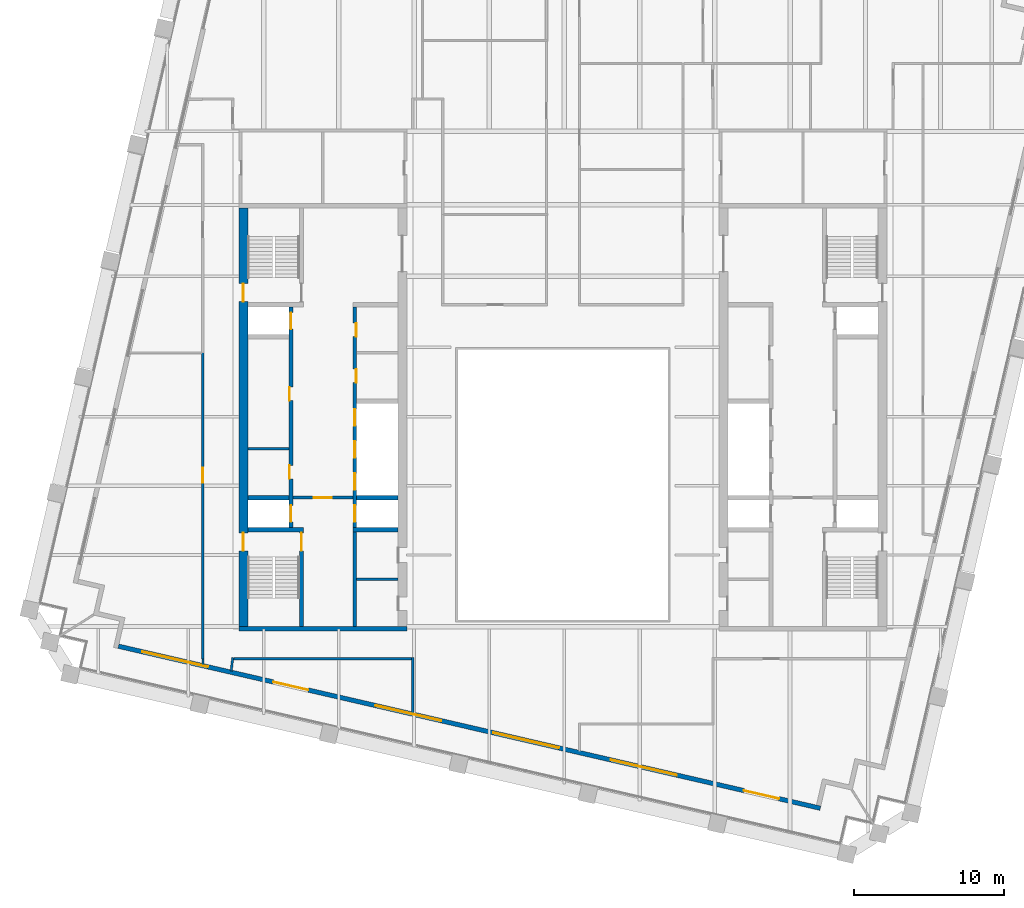
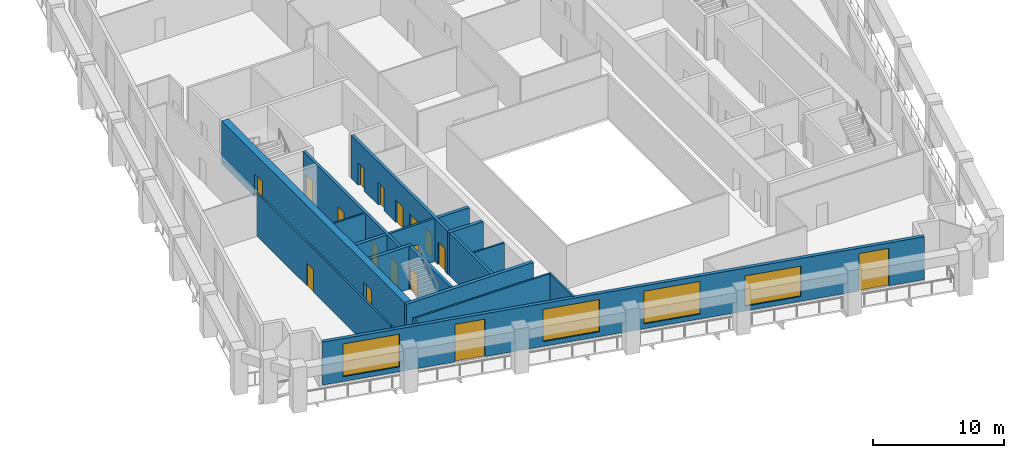
# One storey, part 4 of 11: 18 walls, 17 doors, 4 windows, 21 openings.
"""IFC4 building model written with IfcOpenShell, lengths in metres."""

from ifc_helpers import new_model, si_unit, direction, frame, frame_2d, origin, place, context, subcontext, project, spatial, rectangle, extrude, material, layer, layer_set, type_object, element, fill, save


model = new_model("IFC4")

# Units and contexts
model_context = context("Model", 3, precision=1e-05, world=origin(), true_north=direction((0.0, 1.0)))
body_context = subcontext(model_context, "Body", "Model", "MODEL_VIEW")
ifc_project = project(units=[si_unit("LENGTHUNIT", "METRE"), si_unit("AREAUNIT", "SQUARE_METRE"), si_unit("VOLUMEUNIT", "CUBIC_METRE"), si_unit("PLANEANGLEUNIT", "RADIAN"), si_unit("MASSUNIT", "GRAM", prefix="KILO")], contexts=[model_context])

# Site, building, storey
site_placement = place(None, origin())
site = spatial("IfcSite", under=ifc_project, at=site_placement, CompositionType="ELEMENT")
building_placement = place(site_placement, origin())
building = spatial("IfcBuilding", under=site, at=building_placement, Name="Ogive Exchange Tower", CompositionType="ELEMENT")
storey_placement = place(building_placement, frame((0.0, 0.0, 247.199951171875)))
storey = spatial("IfcBuildingStorey", under=building, at=storey_placement, Name="L53", CompositionType="ELEMENT", Elevation=247.199951171875)

# Walls
ifc_material_1 = material(Name="Gypsum board partition")
ifc_layer_1 = layer(ifc_material_1, 0.14990234375)
ifc_layer_set_1 = layer_set([ifc_layer_1], Name="Core room partition 150 gypsum")
wall_type_1 = type_object("IfcWallType", Name="Core room partition 150 gypsum", PredefinedType="PARTITIONING", material=ifc_layer_set_1)
for number, where, z_axis, x_axis, name in (
    (1, (-21.0, 9.39990234375, 0.0), (0.0, 0.0, 1.0), (1.0, 0.0, 0.0), "W row A bay partition 1-1"),
    (2, (-13.75, 0.699951171875, 0.0), (0.0, 0.0, 1.0), (1.0, 0.0, 0.0), "W south room partition"),
):
    element("IfcWall", number, at=place(storey_placement, frame(where, z_axis=z_axis, x_axis=x_axis)), inside=storey, type_object=wall_type_1, Name=name, PredefinedType="PARTITIONING", context=body_context, shape_type="SweptSolid", body=[
        extrude(rectangle(XDim=2.75, YDim=0.14990234375, at=frame_2d((1.375, 0.0))), origin(), (0.0, 0.0, 1.0), 4.0),
    ])

# Wall, opening, door
ifc_material_2 = material(Name="Fire partition EI 60 150")
ifc_layer_2 = layer(ifc_material_2, 0.14990234375)
ifc_layer_set_2 = layer_set([ifc_layer_2], Name="Fire partition EI 60 150")
wall_type_2 = type_object("IfcWallType", Name="Fire partition EI 60 150", PredefinedType="PARTITIONING", material=ifc_layer_set_2)
wall_1_placement = place(storey_placement, frame((-24.0, -4.60009765625, 0.0), z_axis=(0.0, 0.0, 1.0), x_axis=(0.0, 1.0, 0.0)))
wall_1 = element("IfcWall", 3, at=wall_1_placement, inside=storey, type_object=wall_type_2, Name="L53-PWL-002", PredefinedType="PARTITIONING", context=body_context, shape_type="SweptSolid", body=[
    extrude(rectangle(XDim=20.440185546875, YDim=0.14990234375, at=frame_2d((10.22021484375, 0.0))), origin(), (0.0, 0.0, 1.0), 4.0),
])
opening_1_placement = place(wall_1_placement, frame((11.739990234375, 0.0, 0.0)))
opening_1 = element("IfcOpeningElement", 4, at=opening_1_placement, cuts=wall_1, Name="Opening L53-I07", PredefinedType="OPENING", context=body_context, shape_type="SweptSolid", body=[
    extrude(rectangle(XDim=1.0, YDim=2.10009765625, at=frame_2d((0.5, 1.050048828125))), frame((0.0, 0.0849609375, 0.0), z_axis=(0.0, -1.0, 0.0), x_axis=(1.0, 0.0, 0.0)), (0.0, 0.0, 1.0), 0.169921875),
])
ifc_material_3 = material(Name="Fire door FD 30S 1000 x 2100")
door_type_1 = type_object("IfcDoorType", Name="Fire door FD 30S 1000 x 2100", OperationType="NOTDEFINED", PredefinedType="DOOR", material=ifc_material_3)
door_1_placement = place(opening_1_placement, origin())
door_1 = element("IfcDoor", 5, at=door_1_placement, inside=storey, type_object=door_type_1, Name="L53-IDR-007", ObjectType="DT3", OperationType="SINGLE_SWING_LEFT", OverallHeight=2.10009765625, OverallWidth=1.0, PredefinedType="DOOR", context=body_context, shape_type="SweptSolid", body=[
    extrude(rectangle(XDim=1.0, YDim=2.10009765625, at=frame_2d((0.5, 1.050048828125))), frame((0.0, 0.02490234375, 0.0), z_axis=(0.0, -1.0, 0.0), x_axis=(1.0, 0.0, 0.0)), (0.0, 0.0, 1.0), 0.050048828125),
])
fill(opening_1, door_1)

# Walls
wall_2_placement = place(storey_placement, frame((-23.989990234375, -4.986083984375, 0.0), z_axis=(0.0, 0.0, 1.0), x_axis=(0.0, 1.0, 0.0)))
element("IfcWall", 6, at=wall_2_placement, inside=storey, type_object=wall_type_2, Name="L53-PWL-007", PredefinedType="PARTITIONING", context=body_context, shape_type="SweptSolid", body=[
    extrude(rectangle(XDim=0.385986328125, YDim=0.14990234375, at=frame_2d((0.19287109375, 0.0))), origin(), (0.0, 0.0, 1.0), 4.0),
])
wall_3_placement = place(storey_placement, frame((-22.0009765625, -4.52490234375, 0.0), z_axis=(0.0, 0.0, 1.0), x_axis=(-0.115302119865, -0.993330469257, 0.0)))
element("IfcWall", 7, at=wall_3_placement, inside=storey, type_object=wall_type_2, Name="L53-PWL-009", PredefinedType="PARTITIONING", context=body_context, shape_type="SweptSolid", body=[
    extrude(rectangle(XDim=0.902099609375, YDim=0.14990234375, at=frame_2d((0.451171875, 0.0))), origin(), (0.0, 0.0, 1.0), 4.0),
])
wall_4_placement = place(storey_placement, frame((-10.0, -8.216064453125, 0.0), z_axis=(0.0, 0.0, 1.0), x_axis=(0.0, 1.0, 0.0)))
element("IfcWall", 8, at=wall_4_placement, inside=storey, type_object=wall_type_2, Name="L53-PWL-011", PredefinedType="PARTITIONING", context=body_context, shape_type="SweptSolid", body=[
    extrude(rectangle(XDim=3.691162109375, YDim=0.14990234375, at=frame_2d((1.845703125, 0.0))), origin(), (0.0, 0.0, 1.0), 4.0),
])
wall_5_placement = place(storey_placement, frame((-10.074951171875, -4.60009765625, 0.0), z_axis=(0.0, 0.0, 1.0), x_axis=(-1.0, 0.0, 0.0)))
element("IfcWall", 9, at=wall_5_placement, inside=storey, type_object=wall_type_2, Name="L53-PWL-012", PredefinedType="PARTITIONING", context=body_context, shape_type="SweptSolid", body=[
    extrude(rectangle(XDim=11.860107421875, YDim=0.14990234375, at=frame_2d((5.93017578125, 0.0))), origin(), (0.0, 0.0, 1.0), 4.0),
])

# Wall, openings, doors, windows
ifc_material_4 = material(Name="Precast concrete C40/50", Category="concrete")
ifc_layer_3 = layer(ifc_material_4, 0.300048828125)
ifc_layer_set_3 = layer_set([ifc_layer_3], Name="Limestone-faced wall 300")
wall_type_3 = type_object("IfcWallType", Name="Limestone-faced wall 300", PredefinedType="STANDARD", material=ifc_layer_set_3)
wall_6_placement = place(storey_placement, frame((-29.6162109375, -3.75830078125, 0.0), z_axis=(0.0, 0.0, 1.0), x_axis=(0.974370532314, -0.224949029246, 0.0)))
wall_6 = element("IfcWall", 10, at=wall_6_placement, inside=storey, type_object=wall_type_3, Name="External wall S1", PredefinedType="STANDARD", context=body_context, shape_type="SweptSolid", body=[
    extrude(rectangle(XDim=48.000244140625, YDim=0.300048828125, at=frame_2d((24.0, 0.0))), origin(), (0.0, 0.0, 1.0), 4.0),
])
opening_2_placement = place(wall_6_placement, frame((1.625, 0.0, 0.449951171875)))
opening_2 = element("IfcOpeningElement", 11, at=opening_2_placement, cuts=wall_6, Name="Opening W1", PredefinedType="OPENING", context=body_context, shape_type="SweptSolid", body=[
    extrude(rectangle(XDim=4.5, YDim=3.050048828125, at=frame_2d((2.25, 1.52490234375))), frame((0.0, 0.159912109375, 0.0), z_axis=(0.0, -1.0, 0.0), x_axis=(1.0, 0.0, 0.0)), (0.0, 0.0, 1.0), 0.320068359375),
])
opening_3_placement = place(wall_6_placement, frame((10.574951171875, 0.0, 0.0)))
opening_3 = element("IfcOpeningElement", 12, at=opening_3_placement, cuts=wall_6, Name="Opening D1", PredefinedType="OPENING", context=body_context, shape_type="SweptSolid", body=[
    extrude(rectangle(XDim=2.39990234375, YDim=3.5, at=frame_2d((1.199951171875, 1.75))), frame((0.0, 0.159912109375, 0.0), z_axis=(0.0, -1.0, 0.0), x_axis=(1.0, 0.0, 0.0)), (0.0, 0.0, 1.0), 0.320068359375),
])
opening_4_placement = place(wall_6_placement, frame((17.574951171875, 0.0, 0.449951171875)))
opening_4 = element("IfcOpeningElement", 13, at=opening_4_placement, cuts=wall_6, Name="Opening W1A", PredefinedType="OPENING", context=body_context, shape_type="SweptSolid", body=[
    extrude(rectangle(XDim=4.5, YDim=3.0, at=frame_2d((2.25, 1.5))), frame((0.0, 0.159912109375, 0.0), z_axis=(0.0, -1.0, 0.0), x_axis=(1.0, 0.0, 0.0)), (0.0, 0.0, 1.0), 0.320068359375),
])
opening_5_placement = place(wall_6_placement, frame((25.625, 0.0, 0.449951171875)))
opening_5 = element("IfcOpeningElement", 14, at=opening_5_placement, cuts=wall_6, Name="Opening W1", PredefinedType="OPENING", context=body_context, shape_type="SweptSolid", body=[
    extrude(rectangle(XDim=4.5, YDim=3.050048828125, at=frame_2d((2.25, 1.52490234375))), frame((0.0, 0.159912109375, 0.0), z_axis=(0.0, -1.0, 0.0), x_axis=(1.0, 0.0, 0.0)), (0.0, 0.0, 1.0), 0.320068359375),
])
opening_6_placement = place(wall_6_placement, frame((33.675048828125, 0.0, 0.449951171875)))
opening_6 = element("IfcOpeningElement", 15, at=opening_6_placement, cuts=wall_6, Name="Opening W1E", PredefinedType="OPENING", context=body_context, shape_type="SweptSolid", body=[
    extrude(rectangle(XDim=4.5, YDim=2.824951171875, at=frame_2d((2.25, 1.41259765625))), frame((0.0, 0.159912109375, 0.0), z_axis=(0.0, -1.0, 0.0), x_axis=(1.0, 0.0, 0.0)), (0.0, 0.0, 1.0), 0.320068359375),
])
opening_7_placement = place(wall_6_placement, frame((42.77490234375, 0.0, 0.0)))
opening_7 = element("IfcOpeningElement", 16, at=opening_7_placement, cuts=wall_6, Name="Opening D1", PredefinedType="OPENING", context=body_context, shape_type="SweptSolid", body=[
    extrude(rectangle(XDim=2.39990234375, YDim=3.5, at=frame_2d((1.199951171875, 1.75))), frame((0.0, 0.159912109375, 0.0), z_axis=(0.0, -1.0, 0.0), x_axis=(1.0, 0.0, 0.0)), (0.0, 0.0, 1.0), 0.320068359375),
])
ifc_material_5 = material(Name="Clear glass in bronze frame", Category="glass")
door_type_2 = type_object("IfcDoorType", Name="Sliding loggia door 2400 x 3500", OperationType="DOUBLE_DOOR_SLIDING", PredefinedType="DOOR", material=ifc_material_5)
door_2_placement = place(opening_3_placement, origin())
door_2 = element("IfcDoor", 17, at=door_2_placement, inside=storey, type_object=door_type_2, Name="Loggia door S01", OperationType="DOUBLE_DOOR_SLIDING", OverallHeight=3.5, OverallWidth=2.39990234375, PredefinedType="DOOR", context=body_context, shape_type="SweptSolid", body=[
    extrude(rectangle(XDim=2.39990234375, YDim=3.5, at=frame_2d((1.199951171875, 1.75))), frame((0.0, 0.02490234375, 0.0), z_axis=(0.0, -1.0, 0.0), x_axis=(1.0, 0.0, 0.0)), (0.0, 0.0, 1.0), 0.050048828125),
])
fill(opening_3, door_2)
door_3_placement = place(opening_7_placement, origin())
door_3 = element("IfcDoor", 18, at=door_3_placement, inside=storey, type_object=door_type_2, Name="Loggia door S05", OperationType="DOUBLE_DOOR_SLIDING", OverallHeight=3.5, OverallWidth=2.39990234375, PredefinedType="DOOR", context=body_context, shape_type="SweptSolid", body=[
    extrude(rectangle(XDim=2.39990234375, YDim=3.5, at=frame_2d((1.199951171875, 1.75))), frame((0.0, 0.02490234375, 0.0), z_axis=(0.0, -1.0, 0.0), x_axis=(1.0, 0.0, 0.0)), (0.0, 0.0, 1.0), 0.050048828125),
])
fill(opening_7, door_3)
window_type_1 = type_object("IfcWindowType", Name="Twin lancet window 4500 x 2825", PartitioningType="DOUBLE_PANEL_VERTICAL", PredefinedType="WINDOW", material=ifc_material_5)
window_1_placement = place(opening_6_placement, origin())
window_1 = element("IfcWindow", 19, at=window_1_placement, inside=storey, type_object=window_type_1, Name="Window S04", OverallHeight=2.824951171875, OverallWidth=4.5, PartitioningType="DOUBLE_PANEL_VERTICAL", PredefinedType="WINDOW", context=body_context, shape_type="SweptSolid", body=[
    extrude(rectangle(XDim=4.5, YDim=2.824951171875, at=frame_2d((2.25, 1.41259765625))), frame((0.0, 0.030029296875, 0.0), z_axis=(0.0, -1.0, 0.0), x_axis=(1.0, 0.0, 0.0)), (0.0, 0.0, 1.0), 0.06005859375),
])
fill(opening_6, window_1)
window_type_2 = type_object("IfcWindowType", Name="Twin lancet window 4500 x 3000", PartitioningType="DOUBLE_PANEL_VERTICAL", PredefinedType="WINDOW", material=ifc_material_5)
window_2_placement = place(opening_4_placement, origin())
window_2 = element("IfcWindow", 20, at=window_2_placement, inside=storey, type_object=window_type_2, Name="Window S02", OverallHeight=3.0, OverallWidth=4.5, PartitioningType="DOUBLE_PANEL_VERTICAL", PredefinedType="WINDOW", context=body_context, shape_type="SweptSolid", body=[
    extrude(rectangle(XDim=4.5, YDim=3.0, at=frame_2d((2.25, 1.5))), frame((0.0, 0.030029296875, 0.0), z_axis=(0.0, -1.0, 0.0), x_axis=(1.0, 0.0, 0.0)), (0.0, 0.0, 1.0), 0.06005859375),
])
fill(opening_4, window_2)
window_type_3 = type_object("IfcWindowType", Name="Twin lancet window 4500 x 3050", PartitioningType="DOUBLE_PANEL_VERTICAL", PredefinedType="WINDOW", material=ifc_material_5)
window_3_placement = place(opening_2_placement, origin())
window_3 = element("IfcWindow", 21, at=window_3_placement, inside=storey, type_object=window_type_3, Name="Window S00", OverallHeight=3.050048828125, OverallWidth=4.5, PartitioningType="DOUBLE_PANEL_VERTICAL", PredefinedType="WINDOW", context=body_context, shape_type="SweptSolid", body=[
    extrude(rectangle(XDim=4.5, YDim=3.050048828125, at=frame_2d((2.25, 1.52490234375))), frame((0.0, 0.030029296875, 0.0), z_axis=(0.0, -1.0, 0.0), x_axis=(1.0, 0.0, 0.0)), (0.0, 0.0, 1.0), 0.06005859375),
])
fill(opening_2, window_3)
window_4_placement = place(opening_5_placement, origin())
window_4 = element("IfcWindow", 22, at=window_4_placement, inside=storey, type_object=window_type_3, Name="Window S03", OverallHeight=3.050048828125, OverallWidth=4.5, PartitioningType="DOUBLE_PANEL_VERTICAL", PredefinedType="WINDOW", context=body_context, shape_type="SweptSolid", body=[
    extrude(rectangle(XDim=4.5, YDim=3.050048828125, at=frame_2d((2.25, 1.52490234375))), frame((0.0, 0.030029296875, 0.0), z_axis=(0.0, -1.0, 0.0), x_axis=(1.0, 0.0, 0.0)), (0.0, 0.0, 1.0), 0.06005859375),
])
fill(opening_5, window_4)

# Wall, opening, door
ifc_material_6 = material(Name="Concrete C70/85", Category="concrete")
ifc_layer_4 = layer(ifc_material_6, 0.199951171875)
ifc_layer_set_4 = layer_set([ifc_layer_4], Name="RC core wall 200 C70/85")
wall_type_4 = type_object("IfcWallType", Name="RC core wall 200 C70/85", PredefinedType="SHEAR", material=ifc_layer_set_4)
wall_7_placement = place(storey_placement, frame((-18.0, 6.142822265625, 0.0), z_axis=(0.0, 0.0, 1.0), x_axis=(1.0, 0.0, 0.0)))
wall_7 = element("IfcWall", 23, at=wall_7_placement, inside=storey, type_object=wall_type_4, Name="W firefighting lobby wall", PredefinedType="SHEAR", context=body_context, shape_type="SweptSolid", body=[
    extrude(rectangle(XDim=4.0, YDim=0.199951171875, at=frame_2d((2.0, 0.0))), origin(), (0.0, 0.0, 1.0), 4.0),
])
opening_8_placement = place(wall_7_placement, frame((1.39990234375, 0.0, 0.0)))
opening_8 = element("IfcOpeningElement", 24, at=opening_8_placement, cuts=wall_7, Name="Opening L53-C11", PredefinedType="OPENING", context=body_context, shape_type="SweptSolid", body=[
    extrude(rectangle(XDim=1.199951171875, YDim=2.10009765625, at=frame_2d((0.60009765625, 1.050048828125))), frame((0.0, 0.10986328125, 0.0), z_axis=(0.0, -1.0, 0.0), x_axis=(1.0, 0.0, 0.0)), (0.0, 0.0, 1.0), 0.219970703125),
])
ifc_material_7 = material(Name="Steel fire door", Category="steel")
door_type_3 = type_object("IfcDoorType", Name="Firefighting lobby door FD60 1200 x 2100", OperationType="NOTDEFINED", PredefinedType="DOOR", material=ifc_material_7)
door_4_placement = place(opening_8_placement, frame((1.199951171875, 0.0, 0.0), z_axis=(0.0, 0.0, 1.0), x_axis=(-1.0, 0.0, 0.0)))
door_4 = element("IfcDoor", 25, at=door_4_placement, inside=storey, type_object=door_type_3, Name="Firefighting lobby door", ObjectType="CD3", OperationType="SINGLE_SWING_RIGHT", OverallHeight=2.10009765625, OverallWidth=1.199951171875, PredefinedType="DOOR", context=body_context, shape_type="SweptSolid", body=[
    extrude(rectangle(XDim=1.199951171875, YDim=2.10009765625, at=frame_2d((0.60009765625, 1.050048828125))), frame((0.0, 0.02490234375, 0.0), z_axis=(0.0, -1.0, 0.0), x_axis=(1.0, 0.0, 0.0)), (0.0, 0.0, 1.0), 0.050048828125),
])
fill(opening_8, door_4)

ifc_layer_5 = layer(ifc_material_6, 0.25)
ifc_layer_set_5 = layer_set([ifc_layer_5], Name="RC core wall 250 C70/85")
wall_type_5 = type_object("IfcWallType", Name="RC core wall 250 C70/85", PredefinedType="SHEAR", material=ifc_layer_set_5)
wall_8_placement = place(storey_placement, frame((-17.425048828125, -2.449951171875, 0.0), z_axis=(0.0, 0.0, 1.0), x_axis=(0.0, 1.0, 0.0)))
wall_8 = element("IfcWall", 26, at=wall_8_placement, inside=storey, type_object=wall_type_5, Name="W stair S front wall", PredefinedType="SHEAR", context=body_context, shape_type="SweptSolid", body=[
    extrude(rectangle(XDim=6.300048828125, YDim=0.25, at=frame_2d((3.14990234375, 0.0))), origin(), (0.0, 0.0, 1.0), 4.0),
])
opening_9_placement = place(wall_8_placement, frame((5.050048828125, 0.0, 0.0)))
opening_9 = element("IfcOpeningElement", 27, at=opening_9_placement, cuts=wall_8, Name="Opening L53-C13", PredefinedType="OPENING", context=body_context, shape_type="SweptSolid", body=[
    extrude(rectangle(XDim=1.199951171875, YDim=2.10009765625, at=frame_2d((0.60009765625, 1.050048828125))), frame((0.0, 0.135009765625, 0.0), z_axis=(0.0, -1.0, 0.0), x_axis=(1.0, 0.0, 0.0)), (0.0, 0.0, 1.0), 0.27001953125),
])
door_type_4 = type_object("IfcDoorType", Name="Stair door FD90 1200 x 2100", OperationType="NOTDEFINED", PredefinedType="DOOR", material=ifc_material_7)
door_5_placement = place(opening_9_placement, origin())
door_5 = element("IfcDoor", 28, at=door_5_placement, inside=storey, type_object=door_type_4, Name="Stair door", ObjectType="CD5", OperationType="SINGLE_SWING_LEFT", OverallHeight=2.10009765625, OverallWidth=1.199951171875, PredefinedType="DOOR", context=body_context, shape_type="SweptSolid", body=[
    extrude(rectangle(XDim=1.199951171875, YDim=2.10009765625, at=frame_2d((0.60009765625, 1.050048828125))), frame((0.0, 0.02490234375, 0.0), z_axis=(0.0, -1.0, 0.0), x_axis=(1.0, 0.0, 0.0)), (0.0, 0.0, 1.0), 0.050048828125),
])
fill(opening_9, door_5)

# Wall, openings, doors
wall_9_placement = place(storey_placement, frame((-18.125, 4.14990234375, 0.0), z_axis=(0.0, 0.0, 1.0), x_axis=(0.0, 1.0, 0.0)))
wall_9 = element("IfcWall", 29, at=wall_9_placement, inside=storey, type_object=wall_type_5, Name="W row A front wall", PredefinedType="SHEAR", context=body_context, shape_type="SweptSolid", body=[
    extrude(rectangle(XDim=14.7001953125, YDim=0.25, at=frame_2d((7.35009765625, 0.0))), origin(), (0.0, 0.0, 1.0), 4.0),
])
opening_10_placement = place(wall_9_placement, frame((3.246337890625, 0.0, 0.0)))
opening_10 = element("IfcOpeningElement", 30, at=opening_10_placement, cuts=wall_9, Name="Opening L53-C01", PredefinedType="OPENING", context=body_context, shape_type="SweptSolid", body=[
    extrude(rectangle(XDim=0.89990234375, YDim=2.10009765625, at=frame_2d((0.449951171875, 1.050048828125))), frame((0.0, 0.135009765625, 0.0), z_axis=(0.0, -1.0, 0.0), x_axis=(1.0, 0.0, 0.0)), (0.0, 0.0, 1.0), 0.27001953125),
])
opening_11_placement = place(wall_9_placement, frame((8.45361328125, 0.0, 0.0)))
opening_11 = element("IfcOpeningElement", 31, at=opening_11_placement, cuts=wall_9, Name="Opening L53-C02", PredefinedType="OPENING", context=body_context, shape_type="SweptSolid", body=[
    extrude(rectangle(XDim=0.89990234375, YDim=2.10009765625, at=frame_2d((0.449951171875, 1.050048828125))), frame((0.0, 0.135009765625, 0.0), z_axis=(0.0, -1.0, 0.0), x_axis=(1.0, 0.0, 0.0)), (0.0, 0.0, 1.0), 0.27001953125),
])
opening_12_placement = place(wall_9_placement, frame((0.371337890625, 0.0, 0.0)))
opening_12 = element("IfcOpeningElement", 32, at=opening_12_placement, cuts=wall_9, Name="Opening L53-C03", PredefinedType="OPENING", context=body_context, shape_type="SweptSolid", body=[
    extrude(rectangle(XDim=1.10009765625, YDim=2.10009765625, at=frame_2d((0.550048828125, 1.050048828125))), frame((0.0, 0.135009765625, 0.0), z_axis=(0.0, -1.0, 0.0), x_axis=(1.0, 0.0, 0.0)), (0.0, 0.0, 1.0), 0.27001953125),
])
opening_13_placement = place(wall_9_placement, frame((13.228515625, 0.0, 0.0)))
opening_13 = element("IfcOpeningElement", 33, at=opening_13_placement, cuts=wall_9, Name="Opening L53-C04", PredefinedType="OPENING", context=body_context, shape_type="SweptSolid", body=[
    extrude(rectangle(XDim=1.10009765625, YDim=2.10009765625, at=frame_2d((0.550048828125, 1.050048828125))), frame((0.0, 0.135009765625, 0.0), z_axis=(0.0, -1.0, 0.0), x_axis=(1.0, 0.0, 0.0)), (0.0, 0.0, 1.0), 0.27001953125),
])
ifc_material_8 = material(Name="Timber fire door", Category="wood")
door_type_5 = type_object("IfcDoorType", Name="Core room door FD30S 900 x 2100", OperationType="NOTDEFINED", PredefinedType="DOOR", material=ifc_material_8)
door_6_placement = place(opening_11_placement, origin())
door_6 = element("IfcDoor", 34, at=door_6_placement, inside=storey, type_object=door_type_5, Name="Core room door", ObjectType="CD6", OperationType="SINGLE_SWING_RIGHT", OverallHeight=2.10009765625, OverallWidth=0.89990234375, PredefinedType="DOOR", context=body_context, shape_type="SweptSolid", body=[
    extrude(rectangle(XDim=0.89990234375, YDim=2.10009765625, at=frame_2d((0.449951171875, 1.050048828125))), frame((0.0, 0.125, 0.0), z_axis=(0.0, -1.0, 0.0), x_axis=(1.0, 0.0, 0.0)), (0.0, 0.0, 1.0), 0.050048828125),
])
fill(opening_11, door_6)
ifc_material_9 = material(Name="Stainless steel", Category="steel")
door_type_6 = type_object("IfcDoorType", Name="Lift landing door FD90 1100 x 2100", OperationType="SLIDING_TO_LEFT", PredefinedType="DOOR", material=ifc_material_9)
door_7_placement = place(opening_12_placement, origin())
door_7 = element("IfcDoor", 35, at=door_7_placement, inside=storey, type_object=door_type_6, Name="Lift landing door FF1", ObjectType="LD", OperationType="SLIDING_TO_LEFT", OverallHeight=2.10009765625, OverallWidth=1.10009765625, PredefinedType="DOOR", context=body_context, shape_type="SweptSolid", body=[
    extrude(rectangle(XDim=1.10009765625, YDim=2.10009765625, at=frame_2d((0.550048828125, 1.050048828125))), frame((0.0, 0.02490234375, 0.0), z_axis=(0.0, -1.0, 0.0), x_axis=(1.0, 0.0, 0.0)), (0.0, 0.0, 1.0), 0.050048828125),
])
fill(opening_12, door_7)
door_8_placement = place(opening_13_placement, origin())
door_8 = element("IfcDoor", 36, at=door_8_placement, inside=storey, type_object=door_type_6, Name="Lift landing door W-SH2", ObjectType="LD", OperationType="SLIDING_TO_LEFT", OverallHeight=2.10009765625, OverallWidth=1.10009765625, PredefinedType="DOOR", context=body_context, shape_type="SweptSolid", body=[
    extrude(rectangle(XDim=1.10009765625, YDim=2.10009765625, at=frame_2d((0.550048828125, 1.050048828125))), frame((0.0, 0.02490234375, 0.0), z_axis=(0.0, -1.0, 0.0), x_axis=(1.0, 0.0, 0.0)), (0.0, 0.0, 1.0), 0.050048828125),
])
fill(opening_13, door_8)
door_type_7 = type_object("IfcDoorType", Name="Riser door FD60 900 x 2100", OperationType="NOTDEFINED", PredefinedType="DOOR", material=ifc_material_7)
door_9_placement = place(opening_10_placement, origin())
door_9 = element("IfcDoor", 37, at=door_9_placement, inside=storey, type_object=door_type_7, Name="Riser door", ObjectType="CD2", OperationType="SINGLE_SWING_RIGHT", OverallHeight=2.10009765625, OverallWidth=0.89990234375, PredefinedType="DOOR", context=body_context, shape_type="SweptSolid", body=[
    extrude(rectangle(XDim=0.89990234375, YDim=2.10009765625, at=frame_2d((0.449951171875, 1.050048828125))), frame((0.0, 0.125, 0.0), z_axis=(0.0, -1.0, 0.0), x_axis=(1.0, 0.0, 0.0)), (0.0, 0.0, 1.0), 0.050048828125),
])
fill(opening_10, door_9)

wall_10_placement = place(storey_placement, frame((-13.875, -2.449951171875, 0.0), z_axis=(0.0, 0.0, 1.0), x_axis=(0.0, 1.0, 0.0)))
wall_10 = element("IfcWall", 38, at=wall_10_placement, inside=storey, type_object=wall_type_5, Name="W row B front wall", PredefinedType="SHEAR", context=body_context, shape_type="SweptSolid", body=[
    extrude(rectangle(XDim=21.300048828125, YDim=0.25, at=frame_2d((10.64990234375, 0.0))), origin(), (0.0, 0.0, 1.0), 4.0),
])
opening_14_placement = place(wall_10_placement, frame((16.2607421875, 0.0, 0.0)))
opening_14 = element("IfcOpeningElement", 39, at=opening_14_placement, cuts=wall_10, Name="Opening L53-C05", PredefinedType="OPENING", context=body_context, shape_type="SweptSolid", body=[
    extrude(rectangle(XDim=0.89990234375, YDim=2.10009765625, at=frame_2d((0.449951171875, 1.050048828125))), frame((0.0, 0.135009765625, 0.0), z_axis=(0.0, -1.0, 0.0), x_axis=(1.0, 0.0, 0.0)), (0.0, 0.0, 1.0), 0.27001953125),
])
opening_15_placement = place(wall_10_placement, frame((19.324951171875, 0.0, 0.0)))
opening_15 = element("IfcOpeningElement", 40, at=opening_15_placement, cuts=wall_10, Name="Opening L53-C06", PredefinedType="OPENING", context=body_context, shape_type="SweptSolid", body=[
    extrude(rectangle(XDim=0.89990234375, YDim=2.10009765625, at=frame_2d((0.449951171875, 1.050048828125))), frame((0.0, 0.135009765625, 0.0), z_axis=(0.0, -1.0, 0.0), x_axis=(1.0, 0.0, 0.0)), (0.0, 0.0, 1.0), 0.27001953125),
])
opening_16_placement = place(wall_10_placement, frame((6.971435546875, 0.0, 0.0)))
opening_16 = element("IfcOpeningElement", 41, at=opening_16_placement, cuts=wall_10, Name="Opening L53-C07", PredefinedType="OPENING", context=body_context, shape_type="SweptSolid", body=[
    extrude(rectangle(XDim=1.10009765625, YDim=2.10009765625, at=frame_2d((0.550048828125, 1.050048828125))), frame((0.0, 0.135009765625, 0.0), z_axis=(0.0, -1.0, 0.0), x_axis=(1.0, 0.0, 0.0)), (0.0, 0.0, 1.0), 0.27001953125),
])
opening_17_placement = place(wall_10_placement, frame((9.1142578125, 0.0, 0.0)))
opening_17 = element("IfcOpeningElement", 42, at=opening_17_placement, cuts=wall_10, Name="Opening L53-C08", PredefinedType="OPENING", context=body_context, shape_type="SweptSolid", body=[
    extrude(rectangle(XDim=1.10009765625, YDim=2.10009765625, at=frame_2d((0.550048828125, 1.050048828125))), frame((0.0, 0.135009765625, 0.0), z_axis=(0.0, -1.0, 0.0), x_axis=(1.0, 0.0, 0.0)), (0.0, 0.0, 1.0), 0.27001953125),
])
opening_18_placement = place(wall_10_placement, frame((11.257080078125, 0.0, 0.0)))
opening_18 = element("IfcOpeningElement", 43, at=opening_18_placement, cuts=wall_10, Name="Opening L53-C09", PredefinedType="OPENING", context=body_context, shape_type="SweptSolid", body=[
    extrude(rectangle(XDim=1.10009765625, YDim=2.10009765625, at=frame_2d((0.550048828125, 1.050048828125))), frame((0.0, 0.135009765625, 0.0), z_axis=(0.0, -1.0, 0.0), x_axis=(1.0, 0.0, 0.0)), (0.0, 0.0, 1.0), 0.27001953125),
])
opening_19_placement = place(wall_10_placement, frame((13.39990234375, 0.0, 0.0)))
opening_19 = element("IfcOpeningElement", 44, at=opening_19_placement, cuts=wall_10, Name="Opening L53-C10", PredefinedType="OPENING", context=body_context, shape_type="SweptSolid", body=[
    extrude(rectangle(XDim=1.10009765625, YDim=2.10009765625, at=frame_2d((0.550048828125, 1.050048828125))), frame((0.0, 0.135009765625, 0.0), z_axis=(0.0, -1.0, 0.0), x_axis=(1.0, 0.0, 0.0)), (0.0, 0.0, 1.0), 0.27001953125),
])
door_10_placement = place(opening_14_placement, frame((0.89990234375, -0.2001953125, 0.0), z_axis=(0.0, 0.0, 1.0), x_axis=(-1.0, 0.0, 0.0)))
door_10 = element("IfcDoor", 45, at=door_10_placement, inside=storey, type_object=door_type_5, Name="Core room door", ObjectType="CD6", OperationType="SINGLE_SWING_RIGHT", OverallHeight=2.10009765625, OverallWidth=0.89990234375, PredefinedType="DOOR", context=body_context, shape_type="SweptSolid", body=[
    extrude(rectangle(XDim=0.89990234375, YDim=2.10009765625, at=frame_2d((0.449951171875, 1.050048828125))), frame((0.0, -0.0751953125, 0.0), z_axis=(0.0, -1.0, 0.0), x_axis=(1.0, 0.0, 0.0)), (0.0, 0.0, 1.0), 0.050048828125),
])
fill(opening_14, door_10)
door_11_placement = place(opening_16_placement, origin())
door_11 = element("IfcDoor", 46, at=door_11_placement, inside=storey, type_object=door_type_6, Name="Lift landing door SV1", ObjectType="LD", OperationType="SLIDING_TO_LEFT", OverallHeight=2.10009765625, OverallWidth=1.10009765625, PredefinedType="DOOR", context=body_context, shape_type="SweptSolid", body=[
    extrude(rectangle(XDim=1.10009765625, YDim=2.10009765625, at=frame_2d((0.550048828125, 1.050048828125))), frame((0.0, 0.02490234375, 0.0), z_axis=(0.0, -1.0, 0.0), x_axis=(1.0, 0.0, 0.0)), (0.0, 0.0, 1.0), 0.050048828125),
])
fill(opening_16, door_11)
door_12_placement = place(opening_17_placement, origin())
door_12 = element("IfcDoor", 47, at=door_12_placement, inside=storey, type_object=door_type_6, Name="Lift landing door W-M1", ObjectType="LD", OperationType="SLIDING_TO_LEFT", OverallHeight=2.10009765625, OverallWidth=1.10009765625, PredefinedType="DOOR", context=body_context, shape_type="SweptSolid", body=[
    extrude(rectangle(XDim=1.10009765625, YDim=2.10009765625, at=frame_2d((0.550048828125, 1.050048828125))), frame((0.0, 0.02490234375, 0.0), z_axis=(0.0, -1.0, 0.0), x_axis=(1.0, 0.0, 0.0)), (0.0, 0.0, 1.0), 0.050048828125),
])
fill(opening_17, door_12)
door_13_placement = place(opening_18_placement, origin())
door_13 = element("IfcDoor", 48, at=door_13_placement, inside=storey, type_object=door_type_6, Name="Lift landing door W-M2", ObjectType="LD", OperationType="SLIDING_TO_LEFT", OverallHeight=2.10009765625, OverallWidth=1.10009765625, PredefinedType="DOOR", context=body_context, shape_type="SweptSolid", body=[
    extrude(rectangle(XDim=1.10009765625, YDim=2.10009765625, at=frame_2d((0.550048828125, 1.050048828125))), frame((0.0, 0.02490234375, 0.0), z_axis=(0.0, -1.0, 0.0), x_axis=(1.0, 0.0, 0.0)), (0.0, 0.0, 1.0), 0.050048828125),
])
fill(opening_18, door_13)
door_14_placement = place(opening_19_placement, origin())
door_14 = element("IfcDoor", 49, at=door_14_placement, inside=storey, type_object=door_type_6, Name="Lift landing door W-M3", ObjectType="LD", OperationType="SLIDING_TO_LEFT", OverallHeight=2.10009765625, OverallWidth=1.10009765625, PredefinedType="DOOR", context=body_context, shape_type="SweptSolid", body=[
    extrude(rectangle(XDim=1.10009765625, YDim=2.10009765625, at=frame_2d((0.550048828125, 1.050048828125))), frame((0.0, 0.02490234375, 0.0), z_axis=(0.0, -1.0, 0.0), x_axis=(1.0, 0.0, 0.0)), (0.0, 0.0, 1.0), 0.050048828125),
])
fill(opening_19, door_14)
door_15_placement = place(opening_15_placement, frame((0.89990234375, -0.2001953125, 0.0), z_axis=(0.0, 0.0, 1.0), x_axis=(-1.0, 0.0, 0.0)))
door_15 = element("IfcDoor", 50, at=door_15_placement, inside=storey, type_object=door_type_7, Name="Riser door", ObjectType="CD2", OperationType="SINGLE_SWING_RIGHT", OverallHeight=2.10009765625, OverallWidth=0.89990234375, PredefinedType="DOOR", context=body_context, shape_type="SweptSolid", body=[
    extrude(rectangle(XDim=0.89990234375, YDim=2.10009765625, at=frame_2d((0.449951171875, 1.050048828125))), frame((0.0, -0.0751953125, 0.0), z_axis=(0.0, -1.0, 0.0), x_axis=(1.0, 0.0, 0.0)), (0.0, 0.0, 1.0), 0.050048828125),
])
fill(opening_15, door_15)

# Walls
ifc_layer_6 = layer(ifc_material_6, 0.300048828125)
ifc_layer_set_6 = layer_set([ifc_layer_6], Name="RC core wall 300 C70/85")
wall_type_6 = type_object("IfcWallType", Name="RC core wall 300 C70/85", PredefinedType="SHEAR", material=ifc_layer_set_6)
wall_11_placement = place(storey_placement, frame((-21.60009765625, -2.60009765625, 0.0), z_axis=(0.0, 0.0, 1.0), x_axis=(1.0, 0.0, 0.0)))
element("IfcWall", 51, at=wall_11_placement, inside=storey, type_object=wall_type_6, Name="W south end wall", PredefinedType="SHEAR", context=body_context, shape_type="SweptSolid", body=[
    extrude(rectangle(XDim=11.2001953125, YDim=0.300048828125, at=frame_2d((5.60009765625, 0.0))), origin(), (0.0, 0.0, 1.0), 4.0),
])
wall_12_placement = place(storey_placement, frame((-21.0, 4.0, 0.0), z_axis=(0.0, 0.0, 1.0), x_axis=(1.0, 0.0, 0.0)))
element("IfcWall", 52, at=wall_12_placement, inside=storey, type_object=wall_type_6, Name="W stair S north wall", PredefinedType="SHEAR", context=body_context, shape_type="SweptSolid", body=[
    extrude(rectangle(XDim=3.699951171875, YDim=0.300048828125, at=frame_2d((1.85009765625, 0.0))), origin(), (0.0, 0.0, 1.0), 4.0),
])
wall_13_placement = place(storey_placement, frame((-21.0, 6.142822265625, 0.0), z_axis=(0.0, 0.0, 1.0), x_axis=(1.0, 0.0, 0.0)))
element("IfcWall", 53, at=wall_13_placement, inside=storey, type_object=wall_type_6, Name="W row A divider 1", PredefinedType="SHEAR", context=body_context, shape_type="SweptSolid", body=[
    extrude(rectangle(XDim=2.75, YDim=0.300048828125, at=frame_2d((1.375, 0.0))), origin(), (0.0, 0.0, 1.0), 4.0),
])
wall_14_placement = place(storey_placement, frame((-14.0, 4.0, 0.0), z_axis=(0.0, 0.0, 1.0), x_axis=(1.0, 0.0, 0.0)))
element("IfcWall", 54, at=wall_14_placement, inside=storey, type_object=wall_type_6, Name="W row B divider 0", PredefinedType="SHEAR", context=body_context, shape_type="SweptSolid", body=[
    extrude(rectangle(XDim=3.0, YDim=0.300048828125, at=frame_2d((1.5, 0.0))), origin(), (0.0, 0.0, 1.0), 4.0),
])
wall_15_placement = place(storey_placement, frame((-13.75, 6.142822265625, 0.0), z_axis=(0.0, 0.0, 1.0), x_axis=(1.0, 0.0, 0.0)))
element("IfcWall", 55, at=wall_15_placement, inside=storey, type_object=wall_type_6, Name="W row B divider 1", PredefinedType="SHEAR", context=body_context, shape_type="SweptSolid", body=[
    extrude(rectangle(XDim=2.75, YDim=0.300048828125, at=frame_2d((1.375, 0.0))), origin(), (0.0, 0.0, 1.0), 4.0),
])

# Wall, openings, doors
ifc_layer_7 = layer(ifc_material_6, 0.60009765625)
ifc_layer_set_7 = layer_set([ifc_layer_7], Name="RC core wall 600 C70/85")
wall_type_7 = type_object("IfcWallType", Name="RC core wall 600 C70/85", PredefinedType="SHEAR", material=ifc_layer_set_7)
wall_16_placement = place(storey_placement, frame((-21.300048828125, -2.449951171875, 0.0), z_axis=(0.0, 0.0, 1.0), x_axis=(0.0, 1.0, 0.0)))
wall_16 = element("IfcWall", 56, at=wall_16_placement, inside=storey, type_object=wall_type_7, Name="W outer wall", PredefinedType="SHEAR", context=body_context, shape_type="SweptSolid", body=[
    extrude(rectangle(XDim=27.89990234375, YDim=0.60009765625, at=frame_2d((13.949951171875, 0.0))), origin(), (0.0, 0.0, 1.0), 4.0),
])
opening_20_placement = place(wall_16_placement, frame((5.050048828125, 0.0, 0.0)))
opening_20 = element("IfcOpeningElement", 57, at=opening_20_placement, cuts=wall_16, Name="Opening L53-C14", PredefinedType="OPENING", context=body_context, shape_type="SweptSolid", body=[
    extrude(rectangle(XDim=1.199951171875, YDim=2.10009765625, at=frame_2d((0.60009765625, 1.050048828125))), frame((0.0, 0.31005859375, 0.0), z_axis=(0.0, -1.0, 0.0), x_axis=(1.0, 0.0, 0.0)), (0.0, 0.0, 1.0), 0.6201171875),
])
opening_21_placement = place(wall_16_placement, frame((21.64990234375, 0.0, 0.0)))
opening_21 = element("IfcOpeningElement", 58, at=opening_21_placement, cuts=wall_16, Name="Opening L53-C16", PredefinedType="OPENING", context=body_context, shape_type="SweptSolid", body=[
    extrude(rectangle(XDim=1.199951171875, YDim=2.10009765625, at=frame_2d((0.60009765625, 1.050048828125))), frame((0.0, 0.31005859375, 0.0), z_axis=(0.0, -1.0, 0.0), x_axis=(1.0, 0.0, 0.0)), (0.0, 0.0, 1.0), 0.6201171875),
])
door_16_placement = place(opening_20_placement, origin())
door_16 = element("IfcDoor", 59, at=door_16_placement, inside=storey, type_object=door_type_4, Name="Stair door", ObjectType="CD5", OperationType="SINGLE_SWING_RIGHT", OverallHeight=2.10009765625, OverallWidth=1.199951171875, PredefinedType="DOOR", context=body_context, shape_type="SweptSolid", body=[
    extrude(rectangle(XDim=1.199951171875, YDim=2.10009765625, at=frame_2d((0.60009765625, 1.050048828125))), frame((0.0, 0.02490234375, 0.0), z_axis=(0.0, -1.0, 0.0), x_axis=(1.0, 0.0, 0.0)), (0.0, 0.0, 1.0), 0.050048828125),
])
fill(opening_20, door_16)
door_17_placement = place(opening_21_placement, origin())
door_17 = element("IfcDoor", 60, at=door_17_placement, inside=storey, type_object=door_type_4, Name="Stair door", ObjectType="CD5", OperationType="SINGLE_SWING_RIGHT", OverallHeight=2.10009765625, OverallWidth=1.199951171875, PredefinedType="DOOR", context=body_context, shape_type="SweptSolid", body=[
    extrude(rectangle(XDim=1.199951171875, YDim=2.10009765625, at=frame_2d((0.60009765625, 1.050048828125))), frame((0.0, 0.02490234375, 0.0), z_axis=(0.0, -1.0, 0.0), x_axis=(1.0, 0.0, 0.0)), (0.0, 0.0, 1.0), 0.050048828125),
])
fill(opening_21, door_17)

save(model, "model.ifc")
